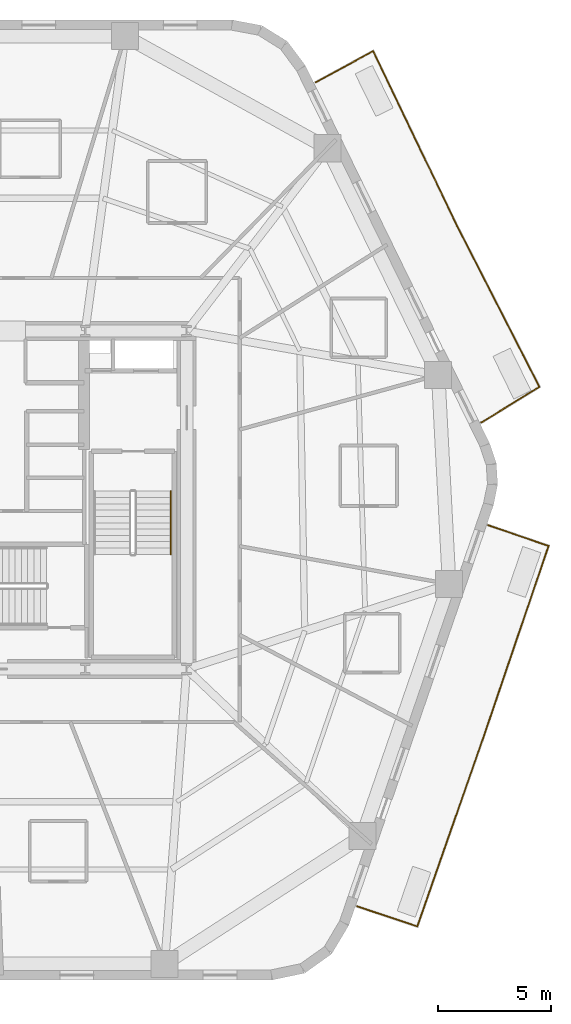
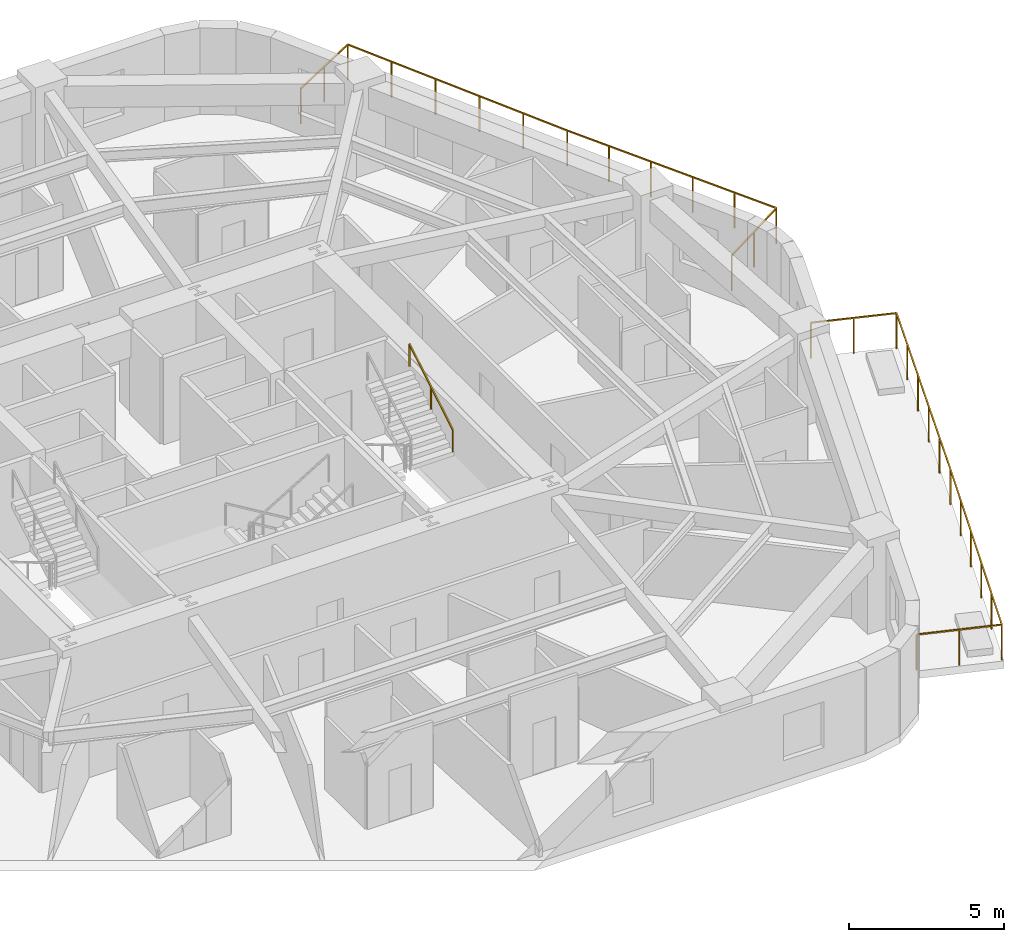
# One storey, part 10 of 10: 3 railings.
"""IFC4 building model written with IfcOpenShell, lengths in metres."""

from ifc_helpers import new_model, si_unit, direction, frame, origin, origin_2d, place, context, subcontext, project, spatial, rectangle, extrude, material, layer, layer_set, type_object, element, save


model = new_model("IFC4")

# Units and contexts
model_context = context("Model", 3, precision=1e-05, world=origin(), true_north=direction((0.0, 1.0)))
body_context = subcontext(model_context, "Body", "Model", "MODEL_VIEW")
ifc_project = project(units=[si_unit("LENGTHUNIT", "METRE"), si_unit("AREAUNIT", "SQUARE_METRE"), si_unit("VOLUMEUNIT", "CUBIC_METRE"), si_unit("PLANEANGLEUNIT", "RADIAN"), si_unit("MASSUNIT", "GRAM", prefix="KILO")], contexts=[model_context])

# Site, building, storey
site_placement = place(None, origin())
site = spatial("IfcSite", under=ifc_project, at=site_placement, CompositionType="ELEMENT")
building_placement = place(site_placement, origin())
building = spatial("IfcBuilding", under=site, at=building_placement, Name="Kilnhurst Terrace Hotel", CompositionType="ELEMENT")
storey_placement = place(building_placement, frame((0.0, 0.0, 121.0)))
storey = spatial("IfcBuildingStorey", under=building, at=storey_placement, Name="L29", CompositionType="ELEMENT", Elevation=121.0)

# Railings
ifc_material_1 = material(Name="Laminated SentryGlas and Stainless Steel AISI 316L Balustrade", Category="steel")
ifc_layer_1 = layer(ifc_material_1, 0.070068359375, Name="Laminated SentryGlas and Stainless Steel AISI 316L Balustrade")
ifc_layer_set_1 = layer_set([ifc_layer_1], Name="Laminated SentryGlas and Stainless Steel AISI 316L Balustrade")
railing_type_1 = type_object("IfcRailingType", Name="RLG-BAL-1420", PredefinedType="BALUSTRADE", material=ifc_layer_set_1)
railing_1_placement = place(storey_placement, frame((22.394287109375, -1.123779296875, 0.0)))
element("IfcRailing", 1, at=railing_1_placement, inside=storey, type_object=railing_type_1, Name="L29 Exterior Terrace Guardrail BAL-L1A.1", PredefinedType="BALUSTRADE", context=body_context, shape_type="SweptSolid", body=[
    extrude(rectangle(XDim=0.048095703125, YDim=0.048095703125, at=origin_2d()), frame((0.0, 0.0, 1.39599609375), z_axis=(0.945999088216, -0.324169284625, 0.0), x_axis=(0.324169284625, 0.945999088216, 0.0)), (0.0, 0.0, 1.0), 2.818115234375),
    extrude(rectangle(XDim=0.048095703125, YDim=0.048095703125, at=origin_2d()), frame((2.666015625, -0.91357421875, 1.39599609375), z_axis=(-0.322236749626, -0.946659113509, 0.0), x_axis=(0.946659113509, -0.322236749626, 0.0)), (0.0, 0.0, 1.0), 8.94921875),
    extrude(rectangle(XDim=0.048095703125, YDim=0.048095703125, at=origin_2d()), frame((-0.2177734375, -9.385498046875, 1.39599609375), z_axis=(-0.329867270016, -0.94402732173, 0.0), x_axis=(0.94402732173, -0.329867270016, 0.0)), (0.0, 0.0, 1.0), 8.9140625),
    extrude(rectangle(XDim=0.048095703125, YDim=0.048095703125, at=origin_2d()), frame((-3.158203125, -17.800537109375, 1.39599609375), z_axis=(-0.948125796951, 0.317895380834, 0.0), x_axis=(-0.317895380834, -0.948125796951, 0.0)), (0.0, 0.0, 1.0), 2.81005859375),
    extrude(rectangle(XDim=0.0419921875, YDim=0.0419921875, at=origin_2d()), origin(), (0.0, 0.0, 1.0), 1.371826171875),
    extrude(rectangle(XDim=0.0419921875, YDim=0.0419921875, at=origin_2d()), frame((1.3330078125, -0.456787109375, 0.0)), (0.0, 0.0, 1.0), 1.371826171875),
    extrude(rectangle(XDim=0.0419921875, YDim=0.0419921875, at=origin_2d()), frame((2.666015625, -0.91357421875, 0.0)), (0.0, 0.0, 1.0), 1.371826171875),
    extrude(rectangle(XDim=0.0419921875, YDim=0.0419921875, at=origin_2d()), frame((2.08935546875, -2.60791015625, 0.0)), (0.0, 0.0, 1.0), 1.371826171875),
    extrude(rectangle(XDim=0.0419921875, YDim=0.0419921875, at=origin_2d()), frame((1.512451171875, -4.30224609375, 0.0)), (0.0, 0.0, 1.0), 1.371826171875),
    extrude(rectangle(XDim=0.0419921875, YDim=0.0419921875, at=origin_2d()), frame((0.935791015625, -5.996826171875, 0.0)), (0.0, 0.0, 1.0), 1.371826171875),
    extrude(rectangle(XDim=0.0419921875, YDim=0.0419921875, at=origin_2d()), frame((0.35888671875, -7.691162109375, 0.0)), (0.0, 0.0, 1.0), 1.371826171875),
    extrude(rectangle(XDim=0.0419921875, YDim=0.0419921875, at=origin_2d()), frame((-0.2177734375, -9.385498046875, 0.0)), (0.0, 0.0, 1.0), 1.371826171875),
    extrude(rectangle(XDim=0.0419921875, YDim=0.0419921875, at=origin_2d()), frame((-0.805908203125, -11.068603515625, 0.0)), (0.0, 0.0, 1.0), 1.371826171875),
    extrude(rectangle(XDim=0.0419921875, YDim=0.0419921875, at=origin_2d()), frame((-1.39404296875, -12.75146484375, 0.0)), (0.0, 0.0, 1.0), 1.371826171875),
    extrude(rectangle(XDim=0.0419921875, YDim=0.0419921875, at=origin_2d()), frame((-1.98193359375, -14.4345703125, 0.0)), (0.0, 0.0, 1.0), 1.371826171875),
    extrude(rectangle(XDim=0.0419921875, YDim=0.0419921875, at=origin_2d()), frame((-2.570068359375, -16.117431640625, 0.0)), (0.0, 0.0, 1.0), 1.371826171875),
    extrude(rectangle(XDim=0.0419921875, YDim=0.0419921875, at=origin_2d()), frame((-3.158203125, -17.800537109375, 0.0)), (0.0, 0.0, 1.0), 1.371826171875),
    extrude(rectangle(XDim=0.0419921875, YDim=0.0419921875, at=origin_2d()), frame((-4.490234375, -17.35400390625, 0.0)), (0.0, 0.0, 1.0), 1.371826171875),
    extrude(rectangle(XDim=0.0419921875, YDim=0.0419921875, at=origin_2d()), frame((-5.822509765625, -16.9072265625, 0.0)), (0.0, 0.0, 1.0), 1.371826171875),
])
railing_2_placement = place(storey_placement, frame((14.722900390625, 18.529541015625, 0.0)))
element("IfcRailing", 2, at=railing_2_placement, inside=storey, type_object=railing_type_1, Name="L29 Exterior Terrace Guardrail BAL-L1B.1", PredefinedType="BALUSTRADE", context=body_context, shape_type="SweptSolid", body=[
    extrude(rectangle(XDim=0.048095703125, YDim=0.048095703125, at=origin_2d()), frame((0.0, 0.0, 1.39599609375), z_axis=(0.878553207741, 0.477644492451, 0.0), x_axis=(-0.477644492451, 0.878553207741, 0.0)), (0.0, 0.0, 1.0), 2.90478515625),
    extrude(rectangle(XDim=0.048095703125, YDim=0.048095703125, at=origin_2d()), frame((2.552001953125, 1.387451171875, 1.39599609375), z_axis=(0.43291229924, -0.901436043858, 0.0), x_axis=(0.901436043858, 0.43291229924, 0.0)), (0.0, 0.0, 1.0), 8.583251953125),
    extrude(rectangle(XDim=0.048095703125, YDim=0.048095703125, at=origin_2d()), frame((6.267822265625, -6.349853515625, 1.39599609375), z_axis=(0.514495755428, -0.857492925713, 0.0), x_axis=(0.857492925713, 0.514495755428, 0.0)), (0.0, 0.0, 1.0), 0.00146484375),
    extrude(rectangle(XDim=0.048095703125, YDim=0.048095703125, at=origin_2d()), frame((6.2685546875, -6.35107421875, 1.39599609375), z_axis=(0.455744437697, -0.890110671494, 0.0), x_axis=(0.890110671494, 0.455744437697, 0.0)), (0.0, 0.0, 1.0), 8.039794921875),
    extrude(rectangle(XDim=0.048095703125, YDim=0.048095703125, at=origin_2d()), frame((9.9326171875, -13.50732421875, 1.39599609375), z_axis=(-0.85191630472, -0.523677963784, 0.0), x_axis=(0.523677963784, -0.85191630472, 0.0)), (0.0, 0.0, 1.0), 3.0205078125),
    extrude(rectangle(XDim=0.0419921875, YDim=0.0419921875, at=origin_2d()), origin(), (0.0, 0.0, 1.0), 1.371826171875),
    extrude(rectangle(XDim=0.0419921875, YDim=0.0419921875, at=origin_2d()), frame((1.27587890625, 0.69384765625, 0.0)), (0.0, 0.0, 1.0), 1.371826171875),
    extrude(rectangle(XDim=0.0419921875, YDim=0.0419921875, at=origin_2d()), frame((2.552001953125, 1.387451171875, 0.0)), (0.0, 0.0, 1.0), 1.371826171875),
    extrude(rectangle(XDim=0.0419921875, YDim=0.0419921875, at=origin_2d()), frame((3.295166015625, -0.159912109375, 0.0)), (0.0, 0.0, 1.0), 1.371826171875),
    extrude(rectangle(XDim=0.0419921875, YDim=0.0419921875, at=origin_2d()), frame((4.038330078125, -1.70751953125, 0.0)), (0.0, 0.0, 1.0), 1.371826171875),
    extrude(rectangle(XDim=0.0419921875, YDim=0.0419921875, at=origin_2d()), frame((4.781494140625, -3.2548828125, 0.0)), (0.0, 0.0, 1.0), 1.371826171875),
    extrude(rectangle(XDim=0.0419921875, YDim=0.0419921875, at=origin_2d()), frame((5.524658203125, -4.802490234375, 0.0)), (0.0, 0.0, 1.0), 1.371826171875),
    extrude(rectangle(XDim=0.0419921875, YDim=0.0419921875, at=origin_2d()), frame((6.267822265625, -6.349853515625, 0.0)), (0.0, 0.0, 1.0), 1.371826171875),
    extrude(rectangle(XDim=0.0419921875, YDim=0.0419921875, at=origin_2d()), frame((6.2685546875, -6.35107421875, 0.0)), (0.0, 0.0, 1.0), 1.371826171875),
    extrude(rectangle(XDim=0.0419921875, YDim=0.0419921875, at=origin_2d()), frame((7.00146484375, -7.7822265625, 0.0)), (0.0, 0.0, 1.0), 1.371826171875),
    extrude(rectangle(XDim=0.0419921875, YDim=0.0419921875, at=origin_2d()), frame((7.734130859375, -9.213623046875, 0.0)), (0.0, 0.0, 1.0), 1.371826171875),
    extrude(rectangle(XDim=0.0419921875, YDim=0.0419921875, at=origin_2d()), frame((8.467041015625, -10.644775390625, 0.0)), (0.0, 0.0, 1.0), 1.371826171875),
    extrude(rectangle(XDim=0.0419921875, YDim=0.0419921875, at=origin_2d()), frame((9.19970703125, -12.076171875, 0.0)), (0.0, 0.0, 1.0), 1.371826171875),
    extrude(rectangle(XDim=0.0419921875, YDim=0.0419921875, at=origin_2d()), frame((9.9326171875, -13.50732421875, 0.0)), (0.0, 0.0, 1.0), 1.371826171875),
    extrude(rectangle(XDim=0.0419921875, YDim=0.0419921875, at=origin_2d()), frame((8.64599609375, -14.29833984375, 0.0)), (0.0, 0.0, 1.0), 1.371826171875),
    extrude(rectangle(XDim=0.0419921875, YDim=0.0419921875, at=origin_2d()), frame((7.359375, -15.089111328125, 0.0)), (0.0, 0.0, 1.0), 1.371826171875),
])
ifc_material_2 = material(Name="Brushed Stainless Steel AISI 304", Category="steel")
ifc_layer_2 = layer(ifc_material_2, 0.048095703125, Name="Brushed Stainless Steel AISI 304")
ifc_layer_set_2 = layer_set([ifc_layer_2], Name="Brushed Stainless Steel AISI 304")
railing_type_2 = type_object("IfcRailingType", Name="RLG-ST-HRL-900", PredefinedType="HANDRAIL", material=ifc_layer_set_2)
railing_3_placement = place(storey_placement, frame((8.300048828125, -2.409912109375, 2.01806640625)))
element("IfcRailing", 3, at=railing_3_placement, inside=storey, type_object=railing_type_2, Name="L29 ST-2 stair handrail 2", PredefinedType="HANDRAIL", context=body_context, shape_type="SweptSolid", body=[
    extrude(rectangle(XDim=0.048095703125, YDim=0.048095703125, at=origin_2d()), frame((0.0, 0.0, 0.8759765625), z_axis=(0.0, 0.857222391501, 0.514946377315), x_axis=(-1.0, 0.0, 0.0)), (0.0, 0.0, 1.0), 3.26611328125),
    extrude(rectangle(XDim=0.0419921875, YDim=0.0419921875, at=origin_2d()), origin(), (0.0, 0.0, 1.0), 0.851806640625),
    extrude(rectangle(XDim=0.0419921875, YDim=0.0419921875, at=origin_2d()), frame((0.0, 1.39990234375, 0.8408203125)), (0.0, 0.0, 1.0), 0.851806640625),
    extrude(rectangle(XDim=0.0419921875, YDim=0.0419921875, at=origin_2d()), frame((0.0, 2.7998046875, 1.681884765625)), (0.0, 0.0, 1.0), 0.851806640625),
])

save(model, "model.ifc")
